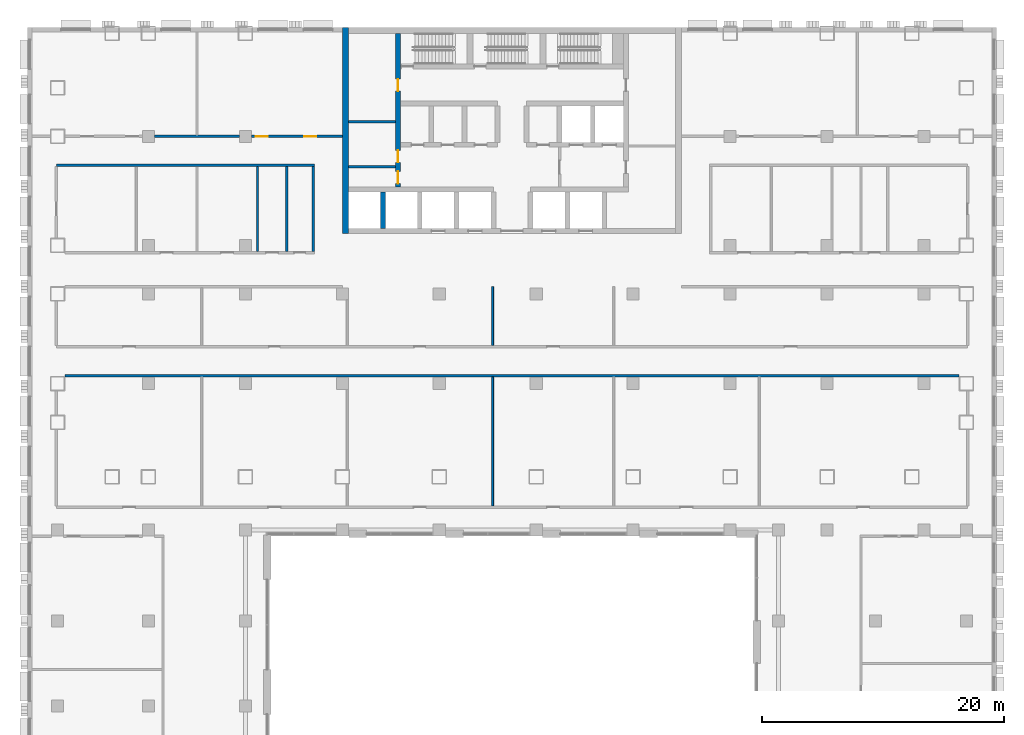
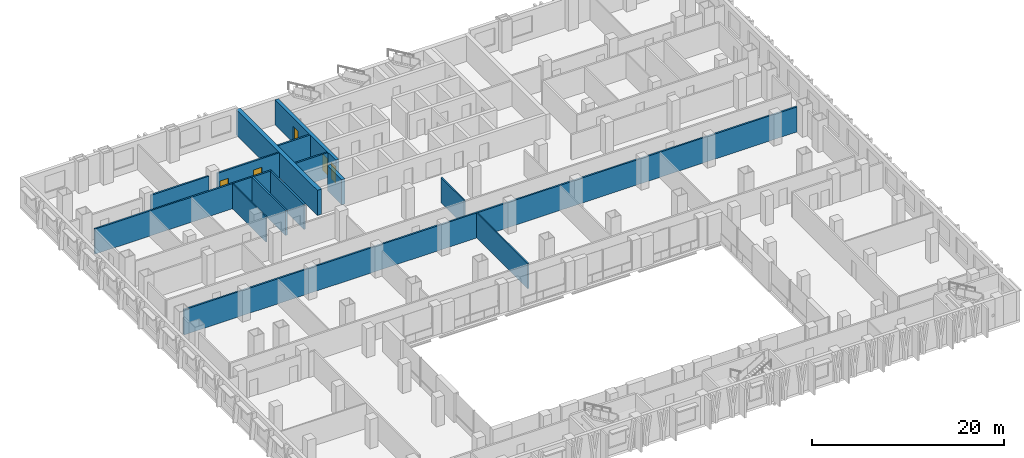
# One storey, part 11 of 24: 14 walls, 5 doors, 5 openings.
"""IFC4 building model written with IfcOpenShell, lengths in metres."""

from ifc_helpers import new_model, si_unit, direction, frame, frame_2d, origin, place, context, subcontext, project, spatial, rectangle, extrude, material, layer, layer_set, type_object, element, fill, save


model = new_model("IFC4")

# Units and contexts
model_context = context("Model", 3, precision=1e-05, world=origin(), true_north=direction((0.0, 1.0)))
body_context = subcontext(model_context, "Body", "Model", "MODEL_VIEW")
ifc_project = project(units=[si_unit("LENGTHUNIT", "METRE"), si_unit("AREAUNIT", "SQUARE_METRE"), si_unit("VOLUMEUNIT", "CUBIC_METRE"), si_unit("PLANEANGLEUNIT", "RADIAN"), si_unit("MASSUNIT", "GRAM", prefix="KILO")], contexts=[model_context])

# Site, building, storey
site_placement = place(None, origin())
site = spatial("IfcSite", under=ifc_project, at=site_placement, CompositionType="ELEMENT")
building_placement = place(site_placement, origin())
building = spatial("IfcBuilding", under=site, at=building_placement, Name="Vidyagriha Tower", CompositionType="ELEMENT")
storey_placement = place(building_placement, frame((0.0, 0.0, 22.0)))
storey = spatial("IfcBuildingStorey", under=building, at=storey_placement, Name="L05", CompositionType="ELEMENT", Elevation=22.0)

# Wall, openings, doors
ifc_material_1 = material(Name="Concrete C60/75", Category="concrete")
ifc_layer_1 = layer(ifc_material_1, 0.39990234375)
ifc_layer_set_1 = layer_set([ifc_layer_1], Name="Concrete C60/75")
wall_type_1 = type_object("IfcWallType", Name="Core shear wall 400 mm", PredefinedType="SHEAR", material=ifc_layer_set_1)
wall_1_placement = place(storey_placement, frame((-9.39990234375, 6.800048828125, 0.0), z_axis=(0.0, 0.0, 1.0), x_axis=(0.0, 1.0, 0.0)))
wall_1 = element("IfcWall", 1, at=wall_1_placement, inside=storey, type_object=wall_type_1, Name="Core west spine wall", PredefinedType="SHEAR", context=body_context, shape_type="SweptSolid", body=[
    extrude(rectangle(XDim=12.699951171875, YDim=0.39990234375, at=frame_2d((6.35009765625, 0.0))), origin(), (0.0, 0.0, 1.0), 3.199951171875),
])
opening_1_placement = place(wall_1_placement, frame((0.300048828125, 0.0, 0.0)))
opening_1 = element("IfcOpeningElement", 2, at=opening_1_placement, cuts=wall_1, Name="Opening D05-10", PredefinedType="OPENING", context=body_context, shape_type="SweptSolid", body=[
    extrude(rectangle(XDim=1.0, YDim=2.10009765625, at=frame_2d((0.5, 1.050048828125))), frame((0.0, 0.2099609375, 0.0), z_axis=(0.0, -1.0, 0.0), x_axis=(1.0, 0.0, 0.0)), (0.0, 0.0, 1.0), 0.419921875),
])
opening_2_placement = place(wall_1_placement, frame((2.050048828125, 0.0, 0.0)))
opening_2 = element("IfcOpeningElement", 3, at=opening_2_placement, cuts=wall_1, Name="Opening D05-11", PredefinedType="OPENING", context=body_context, shape_type="SweptSolid", body=[
    extrude(rectangle(XDim=1.0, YDim=2.10009765625, at=frame_2d((0.5, 1.050048828125))), frame((0.0, 0.2099609375, 0.0), z_axis=(0.0, -1.0, 0.0), x_axis=(1.0, 0.0, 0.0)), (0.0, 0.0, 1.0), 0.419921875),
])
opening_3_placement = place(wall_1_placement, frame((7.925048828125, 0.0, 0.0)))
opening_3 = element("IfcOpeningElement", 4, at=opening_3_placement, cuts=wall_1, Name="Opening D05-12", PredefinedType="OPENING", context=body_context, shape_type="SweptSolid", body=[
    extrude(rectangle(XDim=1.0, YDim=2.10009765625, at=frame_2d((0.5, 1.050048828125))), frame((0.0, 0.2099609375, 0.0), z_axis=(0.0, -1.0, 0.0), x_axis=(1.0, 0.0, 0.0)), (0.0, 0.0, 1.0), 0.419921875),
])
ifc_material_2 = material(Name="Hollow metal door leaf")
door_type_1 = type_object("IfcDoorType", Name="Core room door 1000 x 2100 mm EI 60", OperationType="NOTDEFINED", PredefinedType="DOOR", material=ifc_material_2)
door_1_placement = place(opening_1_placement, frame((1.0, 0.0, 0.0), z_axis=(0.0, 0.0, 1.0), x_axis=(-1.0, 0.0, 0.0)))
door_1 = element("IfcDoor", 5, at=door_1_placement, inside=storey, type_object=door_type_1, Name="Door Switchgear Room 05.W1", OperationType="SINGLE_SWING_RIGHT", OverallHeight=2.10009765625, OverallWidth=1.0, PredefinedType="DOOR", context=body_context, shape_type="SweptSolid", body=[
    extrude(rectangle(XDim=1.0, YDim=2.10009765625, at=frame_2d((0.5, 1.050048828125))), frame((0.0, 0.02490234375, 0.0), z_axis=(0.0, -1.0, 0.0), x_axis=(1.0, 0.0, 0.0)), (0.0, 0.0, 1.0), 0.050048828125),
])
fill(opening_1, door_1)
door_2_placement = place(opening_2_placement, frame((1.0, 0.0, 0.0), z_axis=(0.0, 0.0, 1.0), x_axis=(-1.0, 0.0, 0.0)))
door_2 = element("IfcDoor", 6, at=door_2_placement, inside=storey, type_object=door_type_1, Name="Door Communications Room 05.W2", OperationType="SINGLE_SWING_LEFT", OverallHeight=2.10009765625, OverallWidth=1.0, PredefinedType="DOOR", context=body_context, shape_type="SweptSolid", body=[
    extrude(rectangle(XDim=1.0, YDim=2.10009765625, at=frame_2d((0.5, 1.050048828125))), frame((0.0, 0.02490234375, 0.0), z_axis=(0.0, -1.0, 0.0), x_axis=(1.0, 0.0, 0.0)), (0.0, 0.0, 1.0), 0.050048828125),
])
fill(opening_2, door_2)
door_3_placement = place(opening_3_placement, frame((1.0, 0.0, 0.0), z_axis=(0.0, 0.0, 1.0), x_axis=(-1.0, 0.0, 0.0)))
door_3 = element("IfcDoor", 7, at=door_3_placement, inside=storey, type_object=door_type_1, Name="Door Pressurisation Plant Room 05.W3", OperationType="SINGLE_SWING_LEFT", OverallHeight=2.10009765625, OverallWidth=1.0, PredefinedType="DOOR", context=body_context, shape_type="SweptSolid", body=[
    extrude(rectangle(XDim=1.0, YDim=2.10009765625, at=frame_2d((0.5, 1.050048828125))), frame((0.0, 0.02490234375, 0.0), z_axis=(0.0, -1.0, 0.0), x_axis=(1.0, 0.0, 0.0)), (0.0, 0.0, 1.0), 0.050048828125),
])
fill(opening_3, door_3)

# Walls
wall_2_placement = place(storey_placement, frame((-10.655517578125, 3.39990234375, 0.0), z_axis=(0.0, 0.0, 1.0), x_axis=(0.0, 1.0, 0.0)))
element("IfcWall", 8, at=wall_2_placement, inside=storey, type_object=wall_type_1, Name="Core bay wall S1", PredefinedType="SHEAR", context=body_context, shape_type="SweptSolid", body=[
    extrude(rectangle(XDim=3.0, YDim=0.39990234375, at=frame_2d((1.5, 0.0))), origin(), (0.0, 0.0, 1.0), 3.199951171875),
])
ifc_material_3 = material(Name="Concrete C60/75", Category="concrete")
ifc_layer_2 = layer(ifc_material_3, 0.5)
ifc_layer_set_2 = layer_set([ifc_layer_2], Name="Concrete C60/75")
wall_type_2 = type_object("IfcWallType", Name="Core shear wall 500 mm", PredefinedType="SHEAR", material=ifc_layer_set_2)
wall_3_placement = place(storey_placement, frame((-13.75, 3.0, 0.0), z_axis=(0.0, 0.0, 1.0), x_axis=(0.0, 1.0, 0.0)))
element("IfcWall", 9, at=wall_3_placement, inside=storey, type_object=wall_type_2, Name="Core west wall", PredefinedType="SHEAR", context=body_context, shape_type="SweptSolid", body=[
    extrude(rectangle(XDim=17.0, YDim=0.5, at=frame_2d((8.5, 0.0))), origin(), (0.0, 0.0, 1.0), 3.199951171875),
])
ifc_material_4 = material(Name="Fire rated gypsum board on light gauge framing")
ifc_layer_3 = layer(ifc_material_4, 0.199951171875)
ifc_layer_set_3 = layer_set([ifc_layer_3], Name="Fire rated gypsum board on light gauge framing")
wall_type_3 = type_object("IfcWallType", Name="Fire Rated Corridor Wall 200", PredefinedType="PARTITIONING", material=ifc_layer_set_3)
wall_4_placement = place(storey_placement, frame((-36.89990234375, -8.75, 0.0)))
element("IfcWall", 10, at=wall_4_placement, inside=storey, type_object=wall_type_3, Name="L05 Fire Rated Corridor Wall 200 022", PredefinedType="PARTITIONING", context=body_context, shape_type="SweptSolid", body=[
    extrude(rectangle(XDim=73.7998046875, YDim=0.199951171875, at=frame_2d((36.89990234375, 0.0))), origin(), (0.0, 0.0, 1.0), 3.199951171875),
])
wall_5_placement = place(storey_placement, frame((-37.599853515625, 8.60009765625, 0.0)))
element("IfcWall", 11, at=wall_5_placement, inside=storey, type_object=wall_type_3, Name="L05 Fire Rated Corridor Wall 200 028", PredefinedType="PARTITIONING", context=body_context, shape_type="SweptSolid", body=[
    extrude(rectangle(XDim=21.2998046875, YDim=0.199951171875, at=frame_2d((10.64990234375, 0.0))), origin(), (0.0, 0.0, 1.0), 3.199951171875),
])
wall_6_placement = place(storey_placement, frame((-29.5, 11.0, 0.0)))
element("IfcWall", 12, at=wall_6_placement, inside=storey, type_object=wall_type_3, Name="L05 Fire Rated Corridor Wall 200 032", PredefinedType="PARTITIONING", context=body_context, shape_type="SweptSolid", body=[
    extrude(rectangle(XDim=7.0, YDim=0.199951171875, at=frame_2d((3.5, 0.0))), origin(), (0.0, 0.0, 1.0), 3.199951171875),
])

# Wall, openings, doors
wall_7_placement = place(storey_placement, frame((-21.5, 11.0, 0.0)))
wall_7 = element("IfcWall", 13, at=wall_7_placement, inside=storey, type_object=wall_type_3, Name="L05 Fire Rated Corridor Wall 200 033", PredefinedType="PARTITIONING", context=body_context, shape_type="SweptSolid", body=[
    extrude(rectangle(XDim=7.5, YDim=0.199951171875, at=frame_2d((3.75, 0.0))), origin(), (0.0, 0.0, 1.0), 3.199951171875),
])
opening_4_placement = place(wall_7_placement, frame((0.35009765625, 0.0, 0.0)))
opening_4 = element("IfcOpeningElement", 14, at=opening_4_placement, cuts=wall_7, Name="Opening D05-51", PredefinedType="OPENING", context=body_context, shape_type="SweptSolid", body=[
    extrude(rectangle(XDim=1.0, YDim=2.10009765625, at=frame_2d((0.5, 1.050048828125))), frame((0.0, 0.10986328125, 0.0), z_axis=(0.0, -1.0, 0.0), x_axis=(1.0, 0.0, 0.0)), (0.0, 0.0, 1.0), 0.219970703125),
])
opening_5_placement = place(wall_7_placement, frame((4.360107421875, 0.0, 0.0)))
opening_5 = element("IfcOpeningElement", 15, at=opening_5_placement, cuts=wall_7, Name="Opening D05-52", PredefinedType="OPENING", context=body_context, shape_type="SweptSolid", body=[
    extrude(rectangle(XDim=1.0, YDim=2.10009765625, at=frame_2d((0.5, 1.050048828125))), frame((0.0, 0.10986328125, 0.0), z_axis=(0.0, -1.0, 0.0), x_axis=(1.0, 0.0, 0.0)), (0.0, 0.0, 1.0), 0.219970703125),
])
ifc_material_5 = material(Name="Steel fire door set", Category="steel")
door_type_2 = type_object("IfcDoorType", Name="Podium Door 1000x2100 EI 30", OperationType="NOTDEFINED", PredefinedType="DOOR", material=ifc_material_5)
door_4_placement = place(opening_4_placement, origin())
door_4 = element("IfcDoor", 16, at=door_4_placement, inside=storey, type_object=door_type_2, Name="L05 door D05-51", OperationType="SINGLE_SWING_LEFT", OverallHeight=2.10009765625, OverallWidth=1.0, PredefinedType="DOOR", context=body_context, shape_type="SweptSolid", body=[
    extrude(rectangle(XDim=1.0, YDim=2.10009765625, at=frame_2d((0.5, 1.050048828125))), frame((0.0, 0.02490234375, 0.0), z_axis=(0.0, -1.0, 0.0), x_axis=(1.0, 0.0, 0.0)), (0.0, 0.0, 1.0), 0.050048828125),
])
fill(opening_4, door_4)
door_5_placement = place(opening_5_placement, origin())
door_5 = element("IfcDoor", 17, at=door_5_placement, inside=storey, type_object=door_type_2, Name="L05 door D05-52", OperationType="SINGLE_SWING_RIGHT", OverallHeight=2.10009765625, OverallWidth=1.0, PredefinedType="DOOR", context=body_context, shape_type="SweptSolid", body=[
    extrude(rectangle(XDim=1.0, YDim=2.10009765625, at=frame_2d((0.5, 1.050048828125))), frame((0.0, 0.02490234375, 0.0), z_axis=(0.0, -1.0, 0.0), x_axis=(1.0, 0.0, 0.0)), (0.0, 0.0, 1.0), 0.050048828125),
])
fill(opening_5, door_5)

# Walls
for number, where, z_axis, x_axis, name in (
    (18, (-18.60009765625, 1.5, 0.0), (0.0, 0.0, 1.0), (0.0, 1.0, 0.0), "L05 Fire Rated Corridor Wall 200 052"),
    (19, (-16.39990234375, 1.5, 0.0), (0.0, 0.0, 1.0), (0.0, 1.0, 0.0), "L05 Fire Rated Corridor Wall 200 053"),
):
    element("IfcWall", number, at=place(storey_placement, frame(where, z_axis=z_axis, x_axis=x_axis)), inside=storey, type_object=wall_type_3, Name=name, PredefinedType="PARTITIONING", context=body_context, shape_type="SweptSolid", body=[
        extrude(rectangle(XDim=7.0, YDim=0.199951171875, at=frame_2d((3.5, 0.0))), origin(), (0.0, 0.0, 1.0), 3.199951171875),
    ])
ifc_material_6 = material(Name="Gypsum board on light gauge framing")
ifc_layer_4 = layer(ifc_material_6, 0.14990234375)
ifc_layer_set_4 = layer_set([ifc_layer_4], Name="Gypsum board on light gauge framing")
wall_type_4 = type_object("IfcWallType", Name="Gypsum Board Partition 150", PredefinedType="PARTITIONING", material=ifc_layer_set_4)
wall_8_placement = place(storey_placement, frame((-21.0, 1.5, 0.0), z_axis=(0.0, 0.0, 1.0), x_axis=(0.0, 1.0, 0.0)))
element("IfcWall", 20, at=wall_8_placement, inside=storey, type_object=wall_type_4, Name="L05 Gypsum Board Partition 150 051", PredefinedType="PARTITIONING", context=body_context, shape_type="SweptSolid", body=[
    extrude(rectangle(XDim=7.0, YDim=0.14990234375, at=frame_2d((3.5, 0.0))), origin(), (0.0, 0.0, 1.0), 3.199951171875),
])
wall_9_placement = place(storey_placement, frame((-1.60009765625, -19.5, 0.0), z_axis=(0.0, 0.0, 1.0), x_axis=(0.0, 1.0, 0.0)))
element("IfcWall", 21, at=wall_9_placement, inside=storey, type_object=wall_type_4, Name="L05 Gypsum Board Partition 150 059", PredefinedType="PARTITIONING", context=body_context, shape_type="SweptSolid", body=[
    extrude(rectangle(XDim=10.64990234375, YDim=0.14990234375, at=frame_2d((5.324951171875, 0.0))), origin(), (0.0, 0.0, 1.0), 3.199951171875),
])
wall_10_placement = place(storey_placement, frame((-1.60009765625, -6.25, 0.0), z_axis=(0.0, 0.0, 1.0), x_axis=(0.0, 1.0, 0.0)))
element("IfcWall", 22, at=wall_10_placement, inside=storey, type_object=wall_type_4, Name="L05 Gypsum Board Partition 150 060", PredefinedType="PARTITIONING", context=body_context, shape_type="SweptSolid", body=[
    extrude(rectangle(XDim=4.849853515625, YDim=0.14990234375, at=frame_2d((2.4248046875, 0.0))), origin(), (0.0, 0.0, 1.0), 3.199951171875),
])
ifc_material_7 = material(Name="Blockwork 15 MPa", Category="masonry")
ifc_layer_5 = layer(ifc_material_7, 0.199951171875)
ifc_layer_set_5 = layer_set([ifc_layer_5], Name="Blockwork 15 MPa")
wall_type_5 = type_object("IfcWallType", Name="Service room partition 200 mm", PredefinedType="PARTITIONING", material=ifc_layer_set_5)
for number, where, name in (
    (23, (-13.5, 8.5, 0.0), "Core room partition W1"),
    (24, (-13.5, 12.199951171875, 0.0), "Core room partition W2"),
):
    element("IfcWall", number, at=place(storey_placement, frame(where)), inside=storey, type_object=wall_type_5, Name=name, PredefinedType="PARTITIONING", context=body_context, shape_type="SweptSolid", body=[
        extrude(rectangle(XDim=3.89990234375, YDim=0.199951171875, at=frame_2d((1.949951171875, 0.0))), origin(), (0.0, 0.0, 1.0), 3.199951171875),
    ])

save(model, "model.ifc")
